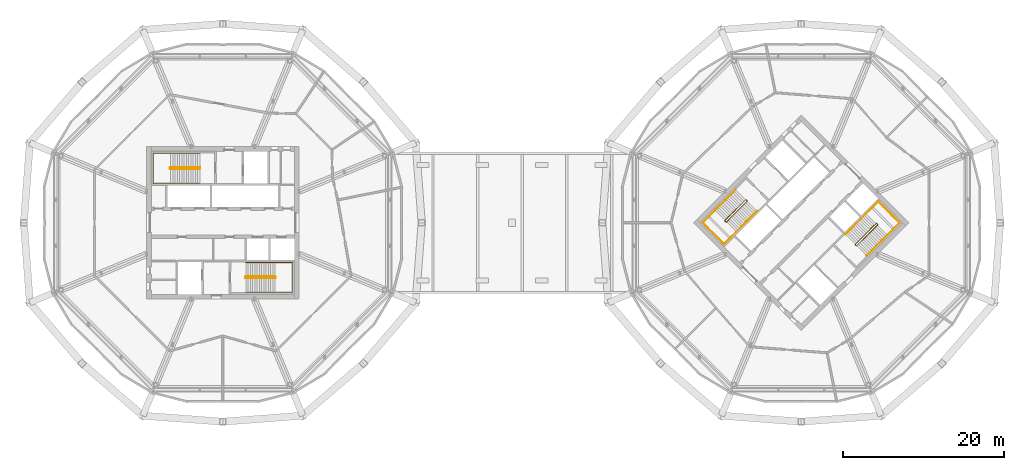
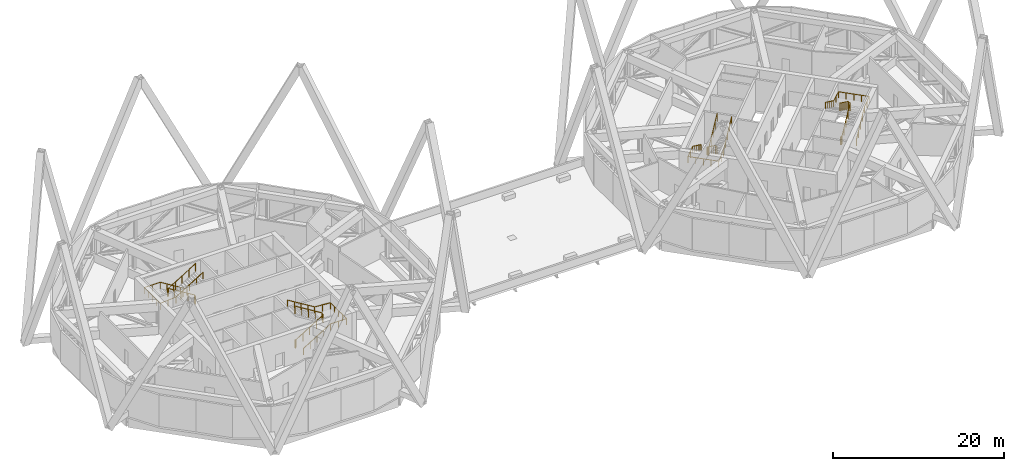
# One storey, part 19 of 20: 8 railings.
"""IFC4 building model written with IfcOpenShell, lengths in metres."""

from ifc_helpers import new_model, si_unit, direction, frame, origin, origin_2d, place, context, subcontext, project, spatial, circle, extrude, material, type_object, element, save


model = new_model("IFC4")

# Units and contexts
model_context = context("Model", 3, precision=1e-05, world=origin(), true_north=direction((0.0, 1.0)))
body_context = subcontext(model_context, "Body", "Model", "MODEL_VIEW")
ifc_project = project(units=[si_unit("LENGTHUNIT", "METRE"), si_unit("AREAUNIT", "SQUARE_METRE"), si_unit("VOLUMEUNIT", "CUBIC_METRE"), si_unit("PLANEANGLEUNIT", "RADIAN"), si_unit("MASSUNIT", "GRAM", prefix="KILO")], contexts=[model_context])

# Site, building, storey
site_placement = place(None, origin())
site = spatial("IfcSite", under=ifc_project, at=site_placement, CompositionType="ELEMENT")
building_placement = place(site_placement, origin())
building = spatial("IfcBuilding", under=site, at=building_placement, Name="Ogive Gate Towers", CompositionType="ELEMENT")
storey_placement = place(building_placement, frame((0.0, 0.0, 160.800048828125)))
storey = spatial("IfcBuildingStorey", under=building, at=storey_placement, Name="L38", CompositionType="ELEMENT", Elevation=160.800048828125)

# Railings
ifc_material = material(Name="Stainless steel", Category="steel")
railing_type_1 = type_object("IfcRailingType", Name="Stair guard 1100", PredefinedType="GUARDRAIL", material=ifc_material)
railing_1_placement = place(storey_placement, frame((-38.81494140625, 6.860107421875, 0.0)))
element("IfcRailing", 1, at=railing_1_placement, inside=storey, type_object=railing_type_1, Name="L38 ST1 stair guard 1", PredefinedType="GUARDRAIL", context=body_context, shape_type="SweptSolid", body=[
    extrude(circle(Radius=0.02392578125, at=origin_2d()), frame((0.0, 0.0, 1.076171875), z_axis=(0.0, -1.0, 0.0), x_axis=(1.0, 0.0, 0.0)), (0.0, 0.0, 1.0), 0.14501953125),
    extrude(circle(Radius=0.02392578125, at=origin_2d()), frame((0.0, -0.14501953125, 1.076171875), z_axis=(-0.189390444499, 0.737236949804, 0.648546790429), x_axis=(-0.968551454522, -0.24881334358, 0.0)), (0.0, 0.0, 1.0), 0.26416015625),
    extrude(circle(Radius=0.02392578125, at=origin_2d()), frame((-0.050048828125, 0.0498046875, 1.24755859375), z_axis=(-0.852850264322, 0.0, 0.5221555579), x_axis=(0.0, -1.0, 0.0)), (0.0, 0.0, 1.0), 4.267822265625),
    extrude(circle(Radius=0.02392578125, at=origin_2d()), frame((-3.68994140625, 0.0498046875, 3.47607421875), z_axis=(-0.708833529934, -0.705375805398, 0.0), x_axis=(0.705375805398, -0.708833529934, 0.0)), (0.0, 0.0, 1.0), 0.070556640625),
    extrude(circle(Radius=0.02392578125, at=origin_2d()), frame((-3.739990234375, 0.0, 3.47607421875), z_axis=(0.0, -1.0, 0.0), x_axis=(1.0, 0.0, 0.0)), (0.0, 0.0, 1.0), 0.14501953125),
    extrude(circle(Radius=0.02392578125, at=origin_2d()), frame((-3.739990234375, -0.14501953125, 3.47607421875), z_axis=(0.269911200495, -0.269911200495, 0.924281281696), x_axis=(0.707106781187, 0.707106781187, 0.0)), (0.0, 0.0, 1.0), 0.185546875),
    extrude(circle(Radius=0.02392578125, at=origin_2d()), frame((-3.68994140625, -0.195068359375, 3.6474609375), z_axis=(0.852824790078, 0.0, 0.522197163366), x_axis=(0.0, 1.0, 0.0)), (0.0, 0.0, 1.0), 4.26806640625),
    extrude(circle(Radius=0.02099609375, at=origin_2d()), origin(), (0.0, 0.0, 1.0), 1.052001953125),
    extrude(circle(Radius=0.02099609375, at=origin_2d()), frame((0.0, -0.14501953125, 0.0)), (0.0, 0.0, 1.0), 1.052001953125),
    extrude(circle(Radius=0.02099609375, at=origin_2d()), frame((-0.050048828125, 0.0498046875, 0.17138671875)), (0.0, 0.0, 1.0), 1.052001953125),
    extrude(circle(Radius=0.02099609375, at=origin_2d()), frame((-0.9599609375, 0.0498046875, 0.728515625)), (0.0, 0.0, 1.0), 1.052001953125),
    extrude(circle(Radius=0.02099609375, at=origin_2d()), frame((-1.8701171875, 0.0498046875, 1.28564453125)), (0.0, 0.0, 1.0), 1.052001953125),
    extrude(circle(Radius=0.02099609375, at=origin_2d()), frame((-2.780029296875, 0.0498046875, 1.8427734375)), (0.0, 0.0, 1.0), 1.052001953125),
    extrude(circle(Radius=0.02099609375, at=origin_2d()), frame((-3.68994140625, 0.0498046875, 2.39990234375)), (0.0, 0.0, 1.0), 1.052001953125),
    extrude(circle(Radius=0.02099609375, at=origin_2d()), frame((-3.739990234375, 0.0, 2.39990234375)), (0.0, 0.0, 1.0), 1.052001953125),
    extrude(circle(Radius=0.02099609375, at=origin_2d()), frame((-3.739990234375, -0.14501953125, 2.39990234375)), (0.0, 0.0, 1.0), 1.052001953125),
    extrude(circle(Radius=0.02099609375, at=origin_2d()), frame((-3.68994140625, -0.195068359375, 2.5712890625)), (0.0, 0.0, 1.0), 1.052001953125),
    extrude(circle(Radius=0.02099609375, at=origin_2d()), frame((-2.780029296875, -0.195068359375, 3.12841796875)), (0.0, 0.0, 1.0), 1.052001953125),
    extrude(circle(Radius=0.02099609375, at=origin_2d()), frame((-1.8701171875, -0.195068359375, 3.685546875)), (0.0, 0.0, 1.0), 1.052001953125),
    extrude(circle(Radius=0.02099609375, at=origin_2d()), frame((-0.9599609375, -0.195068359375, 4.242919921875)), (0.0, 0.0, 1.0), 1.052001953125),
    extrude(circle(Radius=0.02099609375, at=origin_2d()), frame((-0.050048828125, -0.195068359375, 4.800048828125)), (0.0, 0.0, 1.0), 1.052001953125),
])
railing_2_placement = place(storey_placement, frame((-33.18505859375, -6.860107421875, 0.0)))
element("IfcRailing", 2, at=railing_2_placement, inside=storey, type_object=railing_type_1, Name="L38 ST2 stair guard 1", PredefinedType="GUARDRAIL", context=body_context, shape_type="SweptSolid", body=[
    extrude(circle(Radius=0.02392578125, at=origin_2d()), frame((0.0, 0.0, 1.076171875), z_axis=(0.0, 1.0, 0.0), x_axis=(-1.0, 0.0, 0.0)), (0.0, 0.0, 1.0), 0.14501953125),
    extrude(circle(Radius=0.02392578125, at=origin_2d()), frame((0.0, 0.14501953125, 1.076171875), z_axis=(0.189390444499, -0.737236949804, 0.648546790429), x_axis=(0.968551454522, 0.24881334358, 0.0)), (0.0, 0.0, 1.0), 0.26416015625),
    extrude(circle(Radius=0.02392578125, at=origin_2d()), frame((0.050048828125, -0.0498046875, 1.24755859375), z_axis=(0.852850264322, 0.0, 0.5221555579), x_axis=(0.0, 1.0, 0.0)), (0.0, 0.0, 1.0), 4.267822265625),
    extrude(circle(Radius=0.02392578125, at=origin_2d()), frame((3.68994140625, -0.0498046875, 3.47607421875), z_axis=(0.708833529934, 0.705375805398, 0.0), x_axis=(-0.705375805398, 0.708833529934, 0.0)), (0.0, 0.0, 1.0), 0.070556640625),
    extrude(circle(Radius=0.02392578125, at=origin_2d()), frame((3.739990234375, 0.0, 3.47607421875), z_axis=(0.0, 1.0, 0.0), x_axis=(-1.0, 0.0, 0.0)), (0.0, 0.0, 1.0), 0.14501953125),
    extrude(circle(Radius=0.02392578125, at=origin_2d()), frame((3.739990234375, 0.14501953125, 3.47607421875), z_axis=(-0.269911200495, 0.269911200495, 0.924281281696), x_axis=(-0.707106781187, -0.707106781187, 0.0)), (0.0, 0.0, 1.0), 0.185546875),
    extrude(circle(Radius=0.02392578125, at=origin_2d()), frame((3.68994140625, 0.195068359375, 3.6474609375), z_axis=(-0.852824790078, 0.0, 0.522197163366), x_axis=(0.0, -1.0, 0.0)), (0.0, 0.0, 1.0), 4.26806640625),
    extrude(circle(Radius=0.02099609375, at=origin_2d()), origin(), (0.0, 0.0, 1.0), 1.052001953125),
    extrude(circle(Radius=0.02099609375, at=origin_2d()), frame((0.0, 0.14501953125, 0.0)), (0.0, 0.0, 1.0), 1.052001953125),
    extrude(circle(Radius=0.02099609375, at=origin_2d()), frame((0.050048828125, -0.0498046875, 0.17138671875)), (0.0, 0.0, 1.0), 1.052001953125),
    extrude(circle(Radius=0.02099609375, at=origin_2d()), frame((0.9599609375, -0.0498046875, 0.728515625)), (0.0, 0.0, 1.0), 1.052001953125),
    extrude(circle(Radius=0.02099609375, at=origin_2d()), frame((1.8701171875, -0.0498046875, 1.28564453125)), (0.0, 0.0, 1.0), 1.052001953125),
    extrude(circle(Radius=0.02099609375, at=origin_2d()), frame((2.780029296875, -0.0498046875, 1.8427734375)), (0.0, 0.0, 1.0), 1.052001953125),
    extrude(circle(Radius=0.02099609375, at=origin_2d()), frame((3.68994140625, -0.0498046875, 2.39990234375)), (0.0, 0.0, 1.0), 1.052001953125),
    extrude(circle(Radius=0.02099609375, at=origin_2d()), frame((3.739990234375, 0.0, 2.39990234375)), (0.0, 0.0, 1.0), 1.052001953125),
    extrude(circle(Radius=0.02099609375, at=origin_2d()), frame((3.739990234375, 0.14501953125, 2.39990234375)), (0.0, 0.0, 1.0), 1.052001953125),
    extrude(circle(Radius=0.02099609375, at=origin_2d()), frame((3.68994140625, 0.195068359375, 2.5712890625)), (0.0, 0.0, 1.0), 1.052001953125),
    extrude(circle(Radius=0.02099609375, at=origin_2d()), frame((2.780029296875, 0.195068359375, 3.12841796875)), (0.0, 0.0, 1.0), 1.052001953125),
    extrude(circle(Radius=0.02099609375, at=origin_2d()), frame((1.8701171875, 0.195068359375, 3.685546875)), (0.0, 0.0, 1.0), 1.052001953125),
    extrude(circle(Radius=0.02099609375, at=origin_2d()), frame((0.9599609375, 0.195068359375, 4.242919921875)), (0.0, 0.0, 1.0), 1.052001953125),
    extrude(circle(Radius=0.02099609375, at=origin_2d()), frame((0.050048828125, 0.195068359375, 4.800048828125)), (0.0, 0.0, 1.0), 1.052001953125),
])
railing_3_placement = place(storey_placement, frame((29.15869140625, 2.8603515625, 0.0)))
element("IfcRailing", 3, at=railing_3_placement, inside=storey, type_object=railing_type_1, Name="L38 ST1 stair guard 1", PredefinedType="GUARDRAIL", context=body_context, shape_type="SweptSolid", body=[
    extrude(circle(Radius=0.02392578125, at=origin_2d()), frame((0.0, 0.0, 1.076171875), z_axis=(0.707106781187, -0.707106781187, 0.0), x_axis=(0.707106781187, 0.707106781187, 0.0)), (0.0, 0.0, 1.0), 0.14501953125),
    extrude(circle(Radius=0.02392578125, at=origin_2d()), frame((0.1025390625, -0.1025390625, 1.076171875), z_axis=(-0.65494335095, 0.387977725527, 0.648477055524), x_axis=(-0.509669330572, -0.860370369942, 0.0)), (0.0, 0.0, 1.0), 0.264404296875),
    extrude(circle(Radius=0.02392578125, at=origin_2d()), frame((-0.070556640625, 0.0, 1.24755859375), z_axis=(-0.603067823642, -0.603067823642, 0.522128719929), x_axis=(0.707106781187, -0.707106781187, 0.0)), (0.0, 0.0, 1.0), 4.26806640625),
    extrude(circle(Radius=0.02392578125, at=origin_2d()), frame((-2.64453125, -2.573974609375, 3.47607421875), z_axis=(0.0, -1.0, 0.0), x_axis=(1.0, 0.0, 0.0)), (0.0, 0.0, 1.0), 0.07080078125),
    extrude(circle(Radius=0.02392578125, at=origin_2d()), frame((-2.64453125, -2.644775390625, 3.47607421875), z_axis=(0.707106781187, -0.707106781187, 0.0), x_axis=(0.707106781187, 0.707106781187, 0.0)), (0.0, 0.0, 1.0), 0.14501953125),
    extrude(circle(Radius=0.02392578125, at=origin_2d()), frame((-2.5419921875, -2.747314453125, 3.47607421875), z_axis=(0.381809054019, 0.0, 0.924241227315), x_axis=(0.0, 1.0, 0.0)), (0.0, 0.0, 1.0), 0.185546875),
    extrude(circle(Radius=0.02392578125, at=origin_2d()), frame((-2.47119140625, -2.747314453125, 3.6474609375), z_axis=(0.603013412715, 0.60307061376, 0.522188336623), x_axis=(-0.707140316402, 0.707073244381, 0.0)), (0.0, 0.0, 1.0), 4.26806640625),
    extrude(circle(Radius=0.02099609375, at=origin_2d()), origin(), (0.0, 0.0, 1.0), 1.052001953125),
    extrude(circle(Radius=0.02099609375, at=origin_2d()), frame((0.1025390625, -0.1025390625, 0.0)), (0.0, 0.0, 1.0), 1.052001953125),
    extrude(circle(Radius=0.02099609375, at=origin_2d()), frame((-0.070556640625, 0.0, 0.17138671875)), (0.0, 0.0, 1.0), 1.052001953125),
    extrude(circle(Radius=0.02099609375, at=origin_2d()), frame((-0.714111328125, -0.6435546875, 0.728515625)), (0.0, 0.0, 1.0), 1.052001953125),
    extrude(circle(Radius=0.02099609375, at=origin_2d()), frame((-1.357421875, -1.287109375, 1.28564453125)), (0.0, 0.0, 1.0), 1.052001953125),
    extrude(circle(Radius=0.02099609375, at=origin_2d()), frame((-2.0009765625, -1.930419921875, 1.8427734375)), (0.0, 0.0, 1.0), 1.052001953125),
    extrude(circle(Radius=0.02099609375, at=origin_2d()), frame((-2.64453125, -2.573974609375, 2.39990234375)), (0.0, 0.0, 1.0), 1.052001953125),
    extrude(circle(Radius=0.02099609375, at=origin_2d()), frame((-2.64453125, -2.644775390625, 2.39990234375)), (0.0, 0.0, 1.0), 1.052001953125),
    extrude(circle(Radius=0.02099609375, at=origin_2d()), frame((-2.5419921875, -2.747314453125, 2.39990234375)), (0.0, 0.0, 1.0), 1.052001953125),
    extrude(circle(Radius=0.02099609375, at=origin_2d()), frame((-2.47119140625, -2.747314453125, 2.5712890625)), (0.0, 0.0, 1.0), 1.052001953125),
    extrude(circle(Radius=0.02099609375, at=origin_2d()), frame((-1.82763671875, -2.103759765625, 3.12841796875)), (0.0, 0.0, 1.0), 1.052001953125),
    extrude(circle(Radius=0.02099609375, at=origin_2d()), frame((-1.184326171875, -1.46044921875, 3.685546875)), (0.0, 0.0, 1.0), 1.052001953125),
    extrude(circle(Radius=0.02099609375, at=origin_2d()), frame((-0.541015625, -0.81689453125, 4.242919921875)), (0.0, 0.0, 1.0), 1.052001953125),
    extrude(circle(Radius=0.02099609375, at=origin_2d()), frame((0.1025390625, -0.17333984375, 4.800048828125)), (0.0, 0.0, 1.0), 1.052001953125),
])
railing_4_placement = place(storey_placement, frame((42.84130859375, -2.8603515625, 0.0)))
element("IfcRailing", 4, at=railing_4_placement, inside=storey, type_object=railing_type_1, Name="L38 ST2 stair guard 1", PredefinedType="GUARDRAIL", context=body_context, shape_type="SweptSolid", body=[
    extrude(circle(Radius=0.02392578125, at=origin_2d()), frame((0.0, 0.0, 1.076171875), z_axis=(-0.707106781187, 0.707106781187, 0.0), x_axis=(-0.707106781187, -0.707106781187, 0.0)), (0.0, 0.0, 1.0), 0.14501953125),
    extrude(circle(Radius=0.02392578125, at=origin_2d()), frame((-0.1025390625, 0.1025390625, 1.076171875), z_axis=(0.65494335095, -0.387977725527, 0.648477055524), x_axis=(0.509669330572, 0.860370369942, 0.0)), (0.0, 0.0, 1.0), 0.264404296875),
    extrude(circle(Radius=0.02392578125, at=origin_2d()), frame((0.070556640625, 0.0, 1.24755859375), z_axis=(0.603067823642, 0.603067823642, 0.522128719929), x_axis=(-0.707106781187, 0.707106781187, 0.0)), (0.0, 0.0, 1.0), 4.26806640625),
    extrude(circle(Radius=0.02392578125, at=origin_2d()), frame((2.64453125, 2.573974609375, 3.47607421875), z_axis=(0.0, 1.0, 0.0), x_axis=(-1.0, 0.0, 0.0)), (0.0, 0.0, 1.0), 0.07080078125),
    extrude(circle(Radius=0.02392578125, at=origin_2d()), frame((2.64453125, 2.644775390625, 3.47607421875), z_axis=(-0.707106781187, 0.707106781187, 0.0), x_axis=(-0.707106781187, -0.707106781187, 0.0)), (0.0, 0.0, 1.0), 0.14501953125),
    extrude(circle(Radius=0.02392578125, at=origin_2d()), frame((2.5419921875, 2.747314453125, 3.47607421875), z_axis=(-0.381809054019, 0.0, 0.924241227315), x_axis=(0.0, -1.0, 0.0)), (0.0, 0.0, 1.0), 0.185546875),
    extrude(circle(Radius=0.02392578125, at=origin_2d()), frame((2.47119140625, 2.747314453125, 3.6474609375), z_axis=(-0.603013412715, -0.60307061376, 0.522188336623), x_axis=(0.707140316402, -0.707073244381, 0.0)), (0.0, 0.0, 1.0), 4.26806640625),
    extrude(circle(Radius=0.02099609375, at=origin_2d()), origin(), (0.0, 0.0, 1.0), 1.052001953125),
    extrude(circle(Radius=0.02099609375, at=origin_2d()), frame((-0.1025390625, 0.1025390625, 0.0)), (0.0, 0.0, 1.0), 1.052001953125),
    extrude(circle(Radius=0.02099609375, at=origin_2d()), frame((0.070556640625, 0.0, 0.17138671875)), (0.0, 0.0, 1.0), 1.052001953125),
    extrude(circle(Radius=0.02099609375, at=origin_2d()), frame((0.714111328125, 0.6435546875, 0.728515625)), (0.0, 0.0, 1.0), 1.052001953125),
    extrude(circle(Radius=0.02099609375, at=origin_2d()), frame((1.357421875, 1.287109375, 1.28564453125)), (0.0, 0.0, 1.0), 1.052001953125),
    extrude(circle(Radius=0.02099609375, at=origin_2d()), frame((2.0009765625, 1.930419921875, 1.8427734375)), (0.0, 0.0, 1.0), 1.052001953125),
    extrude(circle(Radius=0.02099609375, at=origin_2d()), frame((2.64453125, 2.573974609375, 2.39990234375)), (0.0, 0.0, 1.0), 1.052001953125),
    extrude(circle(Radius=0.02099609375, at=origin_2d()), frame((2.64453125, 2.644775390625, 2.39990234375)), (0.0, 0.0, 1.0), 1.052001953125),
    extrude(circle(Radius=0.02099609375, at=origin_2d()), frame((2.5419921875, 2.747314453125, 2.39990234375)), (0.0, 0.0, 1.0), 1.052001953125),
    extrude(circle(Radius=0.02099609375, at=origin_2d()), frame((2.47119140625, 2.747314453125, 2.5712890625)), (0.0, 0.0, 1.0), 1.052001953125),
    extrude(circle(Radius=0.02099609375, at=origin_2d()), frame((1.82763671875, 2.103759765625, 3.12841796875)), (0.0, 0.0, 1.0), 1.052001953125),
    extrude(circle(Radius=0.02099609375, at=origin_2d()), frame((1.184326171875, 1.46044921875, 3.685546875)), (0.0, 0.0, 1.0), 1.052001953125),
    extrude(circle(Radius=0.02099609375, at=origin_2d()), frame((0.541015625, 0.81689453125, 4.242919921875)), (0.0, 0.0, 1.0), 1.052001953125),
    extrude(circle(Radius=0.02099609375, at=origin_2d()), frame((-0.1025390625, 0.17333984375, 4.800048828125)), (0.0, 0.0, 1.0), 1.052001953125),
])
railing_type_2 = type_object("IfcRailingType", Name="Stair handrail 900", PredefinedType="HANDRAIL", material=ifc_material)
railing_5_placement = place(storey_placement, frame((-38.864990234375, 8.64990234375, 0.17138671875)))
element("IfcRailing", 5, at=railing_5_placement, inside=storey, type_object=railing_type_2, Name="L38 ST1 stair handrail 1", PredefinedType="HANDRAIL", context=body_context, shape_type="SweptSolid", body=[
    extrude(circle(Radius=0.02392578125, at=origin_2d()), frame((0.0, 0.0, 0.8759765625), z_axis=(-0.852850264322, 0.0, 0.5221555579), x_axis=(0.0, -1.0, 0.0)), (0.0, 0.0, 1.0), 4.267822265625),
    extrude(circle(Radius=0.02392578125, at=origin_2d()), frame((-3.639892578125, 0.0, 3.1044921875), z_axis=(-1.0, 0.0, 0.0), x_axis=(0.0, -1.0, 0.0)), (0.0, 0.0, 1.0), 2.14501953125),
    extrude(circle(Radius=0.02392578125, at=origin_2d()), frame((-5.784912109375, 0.0, 3.1044921875), z_axis=(0.0, -1.0, 0.0), x_axis=(1.0, 0.0, 0.0)), (0.0, 0.0, 1.0), 3.724853515625),
    extrude(circle(Radius=0.02392578125, at=origin_2d()), frame((-5.784912109375, -3.724853515625, 3.1044921875), z_axis=(0.996823210099, 0.0, 0.079646015649), x_axis=(0.0, 1.0, 0.0)), (0.0, 0.0, 1.0), 2.15185546875),
    extrude(circle(Radius=0.02392578125, at=origin_2d()), frame((-3.639892578125, -3.724853515625, 3.27587890625), z_axis=(0.852824790078, 0.0, 0.522197163366), x_axis=(0.0, 1.0, 0.0)), (0.0, 0.0, 1.0), 4.26806640625),
    extrude(circle(Radius=0.02099609375, at=origin_2d()), origin(), (0.0, 0.0, 1.0), 0.851806640625),
    extrude(circle(Radius=0.02099609375, at=origin_2d()), frame((-0.909912109375, 0.0, 0.55712890625)), (0.0, 0.0, 1.0), 0.851806640625),
    extrude(circle(Radius=0.02099609375, at=origin_2d()), frame((-1.81982421875, 0.0, 1.1142578125)), (0.0, 0.0, 1.0), 0.851806640625),
    extrude(circle(Radius=0.02099609375, at=origin_2d()), frame((-2.72998046875, 0.0, 1.67138671875)), (0.0, 0.0, 1.0), 0.851806640625),
    extrude(circle(Radius=0.02099609375, at=origin_2d()), frame((-3.639892578125, 0.0, 2.228515625)), (0.0, 0.0, 1.0), 0.851806640625),
    extrude(circle(Radius=0.02099609375, at=origin_2d()), frame((-4.71240234375, 0.0, 2.228515625)), (0.0, 0.0, 1.0), 0.851806640625),
    extrude(circle(Radius=0.02099609375, at=origin_2d()), frame((-5.784912109375, 0.0, 2.228515625)), (0.0, 0.0, 1.0), 0.851806640625),
    extrude(circle(Radius=0.02099609375, at=origin_2d()), frame((-5.784912109375, -0.93115234375, 2.228515625)), (0.0, 0.0, 1.0), 0.851806640625),
    extrude(circle(Radius=0.02099609375, at=origin_2d()), frame((-5.784912109375, -1.8623046875, 2.228515625)), (0.0, 0.0, 1.0), 0.851806640625),
    extrude(circle(Radius=0.02099609375, at=origin_2d()), frame((-5.784912109375, -2.793701171875, 2.228515625)), (0.0, 0.0, 1.0), 0.851806640625),
    extrude(circle(Radius=0.02099609375, at=origin_2d()), frame((-5.784912109375, -3.724853515625, 2.228515625)), (0.0, 0.0, 1.0), 0.851806640625),
    extrude(circle(Radius=0.02099609375, at=origin_2d()), frame((-4.71240234375, -3.724853515625, 2.314208984375)), (0.0, 0.0, 1.0), 0.851806640625),
    extrude(circle(Radius=0.02099609375, at=origin_2d()), frame((-3.639892578125, -3.724853515625, 2.39990234375)), (0.0, 0.0, 1.0), 0.851806640625),
    extrude(circle(Radius=0.02099609375, at=origin_2d()), frame((-2.72998046875, -3.724853515625, 2.95703125)), (0.0, 0.0, 1.0), 0.851806640625),
    extrude(circle(Radius=0.02099609375, at=origin_2d()), frame((-1.81982421875, -3.724853515625, 3.51416015625)), (0.0, 0.0, 1.0), 0.851806640625),
    extrude(circle(Radius=0.02099609375, at=origin_2d()), frame((-0.909912109375, -3.724853515625, 4.071533203125)), (0.0, 0.0, 1.0), 0.851806640625),
    extrude(circle(Radius=0.02099609375, at=origin_2d()), frame((0.0, -3.724853515625, 4.628662109375)), (0.0, 0.0, 1.0), 0.851806640625),
])
railing_6_placement = place(storey_placement, frame((-33.135009765625, -8.64990234375, 0.17138671875)))
element("IfcRailing", 6, at=railing_6_placement, inside=storey, type_object=railing_type_2, Name="L38 ST2 stair handrail 1", PredefinedType="HANDRAIL", context=body_context, shape_type="SweptSolid", body=[
    extrude(circle(Radius=0.02392578125, at=origin_2d()), frame((0.0, 0.0, 0.8759765625), z_axis=(0.852850264322, 0.0, 0.5221555579), x_axis=(0.0, 1.0, 0.0)), (0.0, 0.0, 1.0), 4.267822265625),
    extrude(circle(Radius=0.02392578125, at=origin_2d()), frame((3.639892578125, 0.0, 3.1044921875), z_axis=(1.0, 0.0, 0.0), x_axis=(0.0, 1.0, 0.0)), (0.0, 0.0, 1.0), 2.14501953125),
    extrude(circle(Radius=0.02392578125, at=origin_2d()), frame((5.784912109375, 0.0, 3.1044921875), z_axis=(0.0, 1.0, 0.0), x_axis=(-1.0, 0.0, 0.0)), (0.0, 0.0, 1.0), 3.724853515625),
    extrude(circle(Radius=0.02392578125, at=origin_2d()), frame((5.784912109375, 3.724853515625, 3.1044921875), z_axis=(-0.996823210099, 0.0, 0.079646015649), x_axis=(0.0, -1.0, 0.0)), (0.0, 0.0, 1.0), 2.15185546875),
    extrude(circle(Radius=0.02392578125, at=origin_2d()), frame((3.639892578125, 3.724853515625, 3.27587890625), z_axis=(-0.852824790078, 0.0, 0.522197163366), x_axis=(0.0, -1.0, 0.0)), (0.0, 0.0, 1.0), 4.26806640625),
    extrude(circle(Radius=0.02099609375, at=origin_2d()), origin(), (0.0, 0.0, 1.0), 0.851806640625),
    extrude(circle(Radius=0.02099609375, at=origin_2d()), frame((0.909912109375, 0.0, 0.55712890625)), (0.0, 0.0, 1.0), 0.851806640625),
    extrude(circle(Radius=0.02099609375, at=origin_2d()), frame((1.81982421875, 0.0, 1.1142578125)), (0.0, 0.0, 1.0), 0.851806640625),
    extrude(circle(Radius=0.02099609375, at=origin_2d()), frame((2.72998046875, 0.0, 1.67138671875)), (0.0, 0.0, 1.0), 0.851806640625),
    extrude(circle(Radius=0.02099609375, at=origin_2d()), frame((3.639892578125, 0.0, 2.228515625)), (0.0, 0.0, 1.0), 0.851806640625),
    extrude(circle(Radius=0.02099609375, at=origin_2d()), frame((4.71240234375, 0.0, 2.228515625)), (0.0, 0.0, 1.0), 0.851806640625),
    extrude(circle(Radius=0.02099609375, at=origin_2d()), frame((5.784912109375, 0.0, 2.228515625)), (0.0, 0.0, 1.0), 0.851806640625),
    extrude(circle(Radius=0.02099609375, at=origin_2d()), frame((5.784912109375, 0.93115234375, 2.228515625)), (0.0, 0.0, 1.0), 0.851806640625),
    extrude(circle(Radius=0.02099609375, at=origin_2d()), frame((5.784912109375, 1.8623046875, 2.228515625)), (0.0, 0.0, 1.0), 0.851806640625),
    extrude(circle(Radius=0.02099609375, at=origin_2d()), frame((5.784912109375, 2.793701171875, 2.228515625)), (0.0, 0.0, 1.0), 0.851806640625),
    extrude(circle(Radius=0.02099609375, at=origin_2d()), frame((5.784912109375, 3.724853515625, 2.228515625)), (0.0, 0.0, 1.0), 0.851806640625),
    extrude(circle(Radius=0.02099609375, at=origin_2d()), frame((4.71240234375, 3.724853515625, 2.314208984375)), (0.0, 0.0, 1.0), 0.851806640625),
    extrude(circle(Radius=0.02099609375, at=origin_2d()), frame((3.639892578125, 3.724853515625, 2.39990234375)), (0.0, 0.0, 1.0), 0.851806640625),
    extrude(circle(Radius=0.02099609375, at=origin_2d()), frame((2.72998046875, 3.724853515625, 2.95703125)), (0.0, 0.0, 1.0), 0.851806640625),
    extrude(circle(Radius=0.02099609375, at=origin_2d()), frame((1.81982421875, 3.724853515625, 3.51416015625)), (0.0, 0.0, 1.0), 0.851806640625),
    extrude(circle(Radius=0.02099609375, at=origin_2d()), frame((0.909912109375, 3.724853515625, 4.071533203125)), (0.0, 0.0, 1.0), 0.851806640625),
    extrude(circle(Radius=0.02099609375, at=origin_2d()), frame((0.0, 3.724853515625, 4.628662109375)), (0.0, 0.0, 1.0), 0.851806640625),
])
railing_7_placement = place(storey_placement, frame((27.857666015625, 4.090576171875, 0.17138671875)))
element("IfcRailing", 7, at=railing_7_placement, inside=storey, type_object=railing_type_2, Name="L38 ST1 stair handrail 1", PredefinedType="HANDRAIL", context=body_context, shape_type="SweptSolid", body=[
    extrude(circle(Radius=0.02392578125, at=origin_2d()), frame((0.0, 0.0, 0.8759765625), z_axis=(-0.60308862713, -0.603031424376, 0.522146731333), x_axis=(0.707073244381, -0.707140316402, 0.0)), (0.0, 0.0, 1.0), 4.26806640625),
    extrude(circle(Radius=0.02392578125, at=origin_2d()), frame((-2.573974609375, -2.57373046875, 3.1044921875), z_axis=(-0.707049868894, -0.707163688899, 0.0), x_axis=(0.707163688899, -0.707049868894, 0.0)), (0.0, 0.0, 1.0), 2.14501953125),
    extrude(circle(Radius=0.02392578125, at=origin_2d()), frame((-4.090576171875, -4.090576171875, 3.1044921875), z_axis=(0.707106781187, -0.707106781187, 0.0), x_axis=(0.707106781187, 0.707106781187, 0.0)), (0.0, 0.0, 1.0), 3.72509765625),
    extrude(circle(Radius=0.02392578125, at=origin_2d()), frame((-1.45654296875, -6.724609375, 3.1044921875), z_axis=(0.704803619142, 0.704917077548, 0.079647801133), x_axis=(-0.707163688899, 0.707049868894, 0.0)), (0.0, 0.0, 1.0), 2.15185546875),
    extrude(circle(Radius=0.02392578125, at=origin_2d()), frame((0.06005859375, -5.207763671875, 3.27587890625), z_axis=(0.60307061376, 0.603013412715, 0.522188336623), x_axis=(-0.707073244381, 0.707140316402, 0.0)), (0.0, 0.0, 1.0), 4.26806640625),
    extrude(circle(Radius=0.02099609375, at=origin_2d()), origin(), (0.0, 0.0, 1.0), 0.851806640625),
    extrude(circle(Radius=0.02099609375, at=origin_2d()), frame((-0.6435546875, -0.6435546875, 0.55712890625)), (0.0, 0.0, 1.0), 0.851806640625),
    extrude(circle(Radius=0.02099609375, at=origin_2d()), frame((-1.287109375, -1.286865234375, 1.1142578125)), (0.0, 0.0, 1.0), 0.851806640625),
    extrude(circle(Radius=0.02099609375, at=origin_2d()), frame((-1.930419921875, -1.93017578125, 1.67138671875)), (0.0, 0.0, 1.0), 0.851806640625),
    extrude(circle(Radius=0.02099609375, at=origin_2d()), frame((-2.573974609375, -2.57373046875, 2.228515625)), (0.0, 0.0, 1.0), 0.851806640625),
    extrude(circle(Radius=0.02099609375, at=origin_2d()), frame((-3.332275390625, -3.33203125, 2.228515625)), (0.0, 0.0, 1.0), 0.851806640625),
    extrude(circle(Radius=0.02099609375, at=origin_2d()), frame((-4.090576171875, -4.090576171875, 2.228515625)), (0.0, 0.0, 1.0), 0.851806640625),
    extrude(circle(Radius=0.02099609375, at=origin_2d()), frame((-3.43212890625, -4.7490234375, 2.228515625)), (0.0, 0.0, 1.0), 0.851806640625),
    extrude(circle(Radius=0.02099609375, at=origin_2d()), frame((-2.7734375, -5.40771484375, 2.228515625)), (0.0, 0.0, 1.0), 0.851806640625),
    extrude(circle(Radius=0.02099609375, at=origin_2d()), frame((-2.114990234375, -6.066162109375, 2.228515625)), (0.0, 0.0, 1.0), 0.851806640625),
    extrude(circle(Radius=0.02099609375, at=origin_2d()), frame((-1.45654296875, -6.724609375, 2.228515625)), (0.0, 0.0, 1.0), 0.851806640625),
    extrude(circle(Radius=0.02099609375, at=origin_2d()), frame((-0.6982421875, -5.96630859375, 2.314208984375)), (0.0, 0.0, 1.0), 0.851806640625),
    extrude(circle(Radius=0.02099609375, at=origin_2d()), frame((0.06005859375, -5.207763671875, 2.39990234375)), (0.0, 0.0, 1.0), 0.851806640625),
    extrude(circle(Radius=0.02099609375, at=origin_2d()), frame((0.70361328125, -4.564453125, 2.95703125)), (0.0, 0.0, 1.0), 0.851806640625),
    extrude(circle(Radius=0.02099609375, at=origin_2d()), frame((1.34716796875, -3.9208984375, 3.51416015625)), (0.0, 0.0, 1.0), 0.851806640625),
    extrude(circle(Radius=0.02099609375, at=origin_2d()), frame((1.990478515625, -3.27734375, 4.071533203125)), (0.0, 0.0, 1.0), 0.851806640625),
    extrude(circle(Radius=0.02099609375, at=origin_2d()), frame((2.634033203125, -2.634033203125, 4.628662109375)), (0.0, 0.0, 1.0), 0.851806640625),
])
railing_8_placement = place(storey_placement, frame((44.142333984375, -4.090576171875, 0.17138671875)))
element("IfcRailing", 8, at=railing_8_placement, inside=storey, type_object=railing_type_2, Name="L38 ST2 stair handrail 1", PredefinedType="HANDRAIL", context=body_context, shape_type="SweptSolid", body=[
    extrude(circle(Radius=0.02392578125, at=origin_2d()), frame((0.0, 0.0, 0.8759765625), z_axis=(0.60308862713, 0.603031424376, 0.522146731333), x_axis=(-0.707073244381, 0.707140316402, 0.0)), (0.0, 0.0, 1.0), 4.26806640625),
    extrude(circle(Radius=0.02392578125, at=origin_2d()), frame((2.573974609375, 2.57373046875, 3.1044921875), z_axis=(0.707049868894, 0.707163688899, 0.0), x_axis=(-0.707163688899, 0.707049868894, 0.0)), (0.0, 0.0, 1.0), 2.14501953125),
    extrude(circle(Radius=0.02392578125, at=origin_2d()), frame((4.090576171875, 4.090576171875, 3.1044921875), z_axis=(-0.707106781187, 0.707106781187, 0.0), x_axis=(-0.707106781187, -0.707106781187, 0.0)), (0.0, 0.0, 1.0), 3.72509765625),
    extrude(circle(Radius=0.02392578125, at=origin_2d()), frame((1.45654296875, 6.724609375, 3.1044921875), z_axis=(-0.704803619142, -0.704917077548, 0.079647801133), x_axis=(0.707163688899, -0.707049868894, 0.0)), (0.0, 0.0, 1.0), 2.15185546875),
    extrude(circle(Radius=0.02392578125, at=origin_2d()), frame((-0.06005859375, 5.207763671875, 3.27587890625), z_axis=(-0.60307061376, -0.603013412715, 0.522188336623), x_axis=(0.707073244381, -0.707140316402, 0.0)), (0.0, 0.0, 1.0), 4.26806640625),
    extrude(circle(Radius=0.02099609375, at=origin_2d()), origin(), (0.0, 0.0, 1.0), 0.851806640625),
    extrude(circle(Radius=0.02099609375, at=origin_2d()), frame((0.6435546875, 0.6435546875, 0.55712890625)), (0.0, 0.0, 1.0), 0.851806640625),
    extrude(circle(Radius=0.02099609375, at=origin_2d()), frame((1.287109375, 1.286865234375, 1.1142578125)), (0.0, 0.0, 1.0), 0.851806640625),
    extrude(circle(Radius=0.02099609375, at=origin_2d()), frame((1.930419921875, 1.93017578125, 1.67138671875)), (0.0, 0.0, 1.0), 0.851806640625),
    extrude(circle(Radius=0.02099609375, at=origin_2d()), frame((2.573974609375, 2.57373046875, 2.228515625)), (0.0, 0.0, 1.0), 0.851806640625),
    extrude(circle(Radius=0.02099609375, at=origin_2d()), frame((3.332275390625, 3.33203125, 2.228515625)), (0.0, 0.0, 1.0), 0.851806640625),
    extrude(circle(Radius=0.02099609375, at=origin_2d()), frame((4.090576171875, 4.090576171875, 2.228515625)), (0.0, 0.0, 1.0), 0.851806640625),
    extrude(circle(Radius=0.02099609375, at=origin_2d()), frame((3.43212890625, 4.7490234375, 2.228515625)), (0.0, 0.0, 1.0), 0.851806640625),
    extrude(circle(Radius=0.02099609375, at=origin_2d()), frame((2.7734375, 5.40771484375, 2.228515625)), (0.0, 0.0, 1.0), 0.851806640625),
    extrude(circle(Radius=0.02099609375, at=origin_2d()), frame((2.114990234375, 6.066162109375, 2.228515625)), (0.0, 0.0, 1.0), 0.851806640625),
    extrude(circle(Radius=0.02099609375, at=origin_2d()), frame((1.45654296875, 6.724609375, 2.228515625)), (0.0, 0.0, 1.0), 0.851806640625),
    extrude(circle(Radius=0.02099609375, at=origin_2d()), frame((0.6982421875, 5.96630859375, 2.314208984375)), (0.0, 0.0, 1.0), 0.851806640625),
    extrude(circle(Radius=0.02099609375, at=origin_2d()), frame((-0.06005859375, 5.207763671875, 2.39990234375)), (0.0, 0.0, 1.0), 0.851806640625),
    extrude(circle(Radius=0.02099609375, at=origin_2d()), frame((-0.70361328125, 4.564453125, 2.95703125)), (0.0, 0.0, 1.0), 0.851806640625),
    extrude(circle(Radius=0.02099609375, at=origin_2d()), frame((-1.34716796875, 3.9208984375, 3.51416015625)), (0.0, 0.0, 1.0), 0.851806640625),
    extrude(circle(Radius=0.02099609375, at=origin_2d()), frame((-1.990478515625, 3.27734375, 4.071533203125)), (0.0, 0.0, 1.0), 0.851806640625),
    extrude(circle(Radius=0.02099609375, at=origin_2d()), frame((-2.634033203125, 2.634033203125, 4.628662109375)), (0.0, 0.0, 1.0), 0.851806640625),
])

save(model, "model.ifc")
